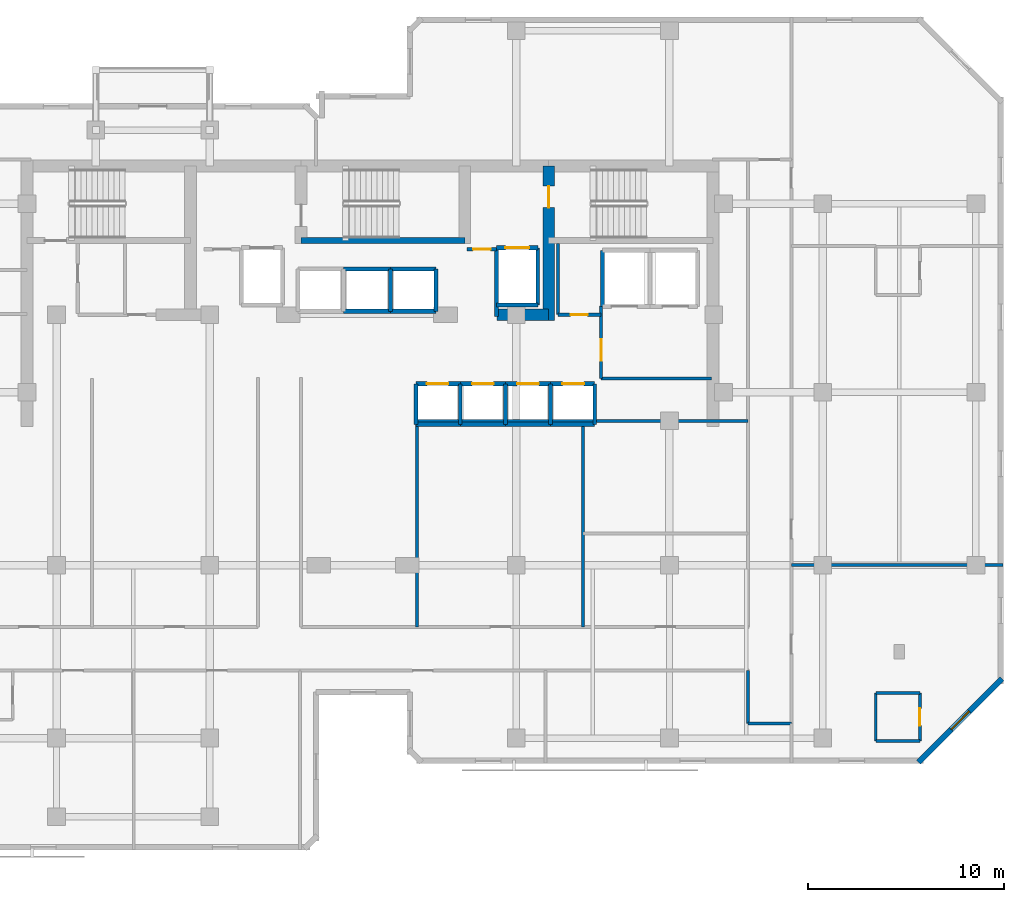
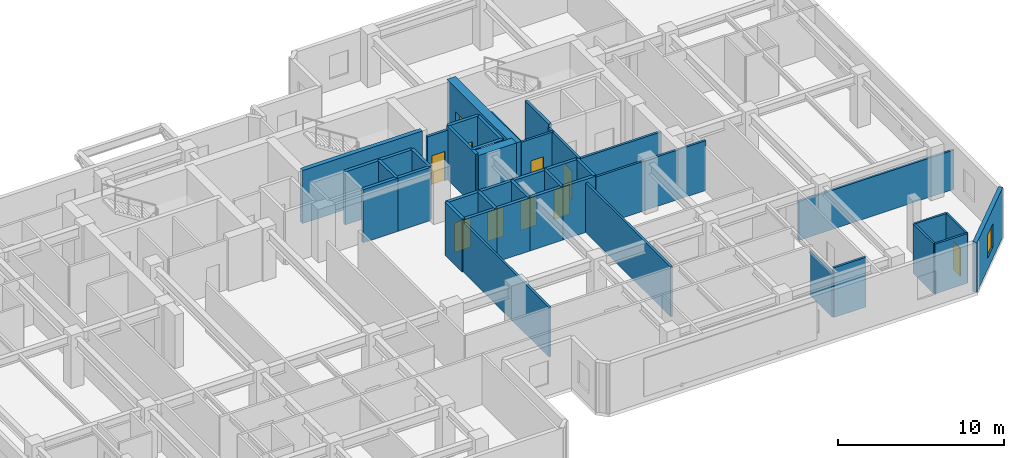
# One storey, part 6 of 10: 43 walls, 10 doors, 1 window, 11 openings.
"""IFC4 building model written with IfcOpenShell, lengths in metres."""

from ifc_helpers import new_model, si_unit, direction, frame, frame_2d, origin, place, context, subcontext, project, spatial, rectangle, extrude, material, layer, layer_set, type_object, element, fill, save


model = new_model("IFC4")

# Units and contexts
model_context = context("Model", 3, precision=1e-05, world=origin(), true_north=direction((0.0, 1.0)))
body_context = subcontext(model_context, "Body", "Model", "MODEL_VIEW")
ifc_project = project(units=[si_unit("LENGTHUNIT", "METRE"), si_unit("AREAUNIT", "SQUARE_METRE"), si_unit("VOLUMEUNIT", "CUBIC_METRE"), si_unit("PLANEANGLEUNIT", "RADIAN"), si_unit("MASSUNIT", "GRAM", prefix="KILO")], contexts=[model_context])

# Site, building, storey
site_placement = place(None, origin())
site = spatial("IfcSite", under=ifc_project, at=site_placement, CompositionType="ELEMENT")
building_placement = place(site_placement, origin())
building = spatial("IfcBuilding", under=site, at=building_placement, Name="Kestravale Grand Hotel", CompositionType="ELEMENT")
storey_placement = place(building_placement, frame((0.0, 0.0, 212.39990234375)))
storey = spatial("IfcBuildingStorey", under=building, at=storey_placement, Name="L53", CompositionType="ELEMENT", Elevation=212.39990234375)

# Wall
ifc_material_1 = material(Name="Concrete f'c 50 MPa", Category="concrete")
ifc_layer_1 = layer(ifc_material_1, 0.60009765625)
ifc_layer_set_1 = layer_set([ifc_layer_1], Name="EW-CORE-600")
wall_type_1 = type_object("IfcWallType", Name="EW-CORE-600", PredefinedType="SHEAR", material=ifc_layer_set_1)
wall_1_placement = place(storey_placement, frame((45.81005859375, 32.75, 0.0), z_axis=(0.0, 0.0, 1.0), x_axis=(1.0, 0.0, 0.0)))
element("IfcWall", 1, at=wall_1_placement, inside=storey, type_object=wall_type_1, Name="L53 core shear wall S2", PredefinedType="SHEAR", context=body_context, shape_type="SweptSolid", body=[
    extrude(rectangle(XDim=2.639892578125, YDim=0.60009765625, at=frame_2d((1.31982421875, 0.0))), origin(), (0.0, 0.0, 1.0), 3.900146484375),
])

# Wall, opening, door
wall_2_placement = place(storey_placement, frame((48.449951171875, 32.449951171875, 0.0), z_axis=(0.0, 0.0, 1.0), x_axis=(0.0, 1.0, 0.0)))
wall_2 = element("IfcWall", 2, at=wall_2_placement, inside=storey, type_object=wall_type_1, Name="L53 core shear wall X4", PredefinedType="SHEAR", context=body_context, shape_type="SweptSolid", body=[
    extrude(rectangle(XDim=7.8701171875, YDim=0.60009765625, at=frame_2d((3.93505859375, 0.0))), origin(), (0.0, 0.0, 1.0), 3.900146484375),
])
opening_1_placement = place(wall_2_placement, frame((5.75, 0.0, 0.0)))
opening_1 = element("IfcOpeningElement", 3, at=opening_1_placement, cuts=wall_2, Name="Opening D-ST-1100", PredefinedType="OPENING", context=body_context, shape_type="SweptSolid", body=[
    extrude(rectangle(XDim=1.10009765625, YDim=2.14990234375, at=frame_2d((0.550048828125, 1.074951171875))), frame((0.0, 0.31005859375, 0.0), z_axis=(0.0, -1.0, 0.0), x_axis=(1.0, 0.0, 0.0)), (0.0, 0.0, 1.0), 0.6201171875),
])
ifc_material_2 = material(Name="Galvanised 90-minute fire-rated steel stair door", Category="steel")
door_type_1 = type_object("IfcDoorType", Name="D-ST-1100", OperationType="NOTDEFINED", PredefinedType="DOOR", material=ifc_material_2)
door_1_placement = place(opening_1_placement, origin())
door_1 = element("IfcDoor", 4, at=door_1_placement, inside=storey, type_object=door_type_1, Name="L53 Stair ST-3 FSAE fire door", OperationType="SINGLE_SWING_RIGHT", OverallHeight=2.14990234375, OverallWidth=1.10009765625, PredefinedType="DOOR", context=body_context, shape_type="SweptSolid", body=[
    extrude(rectangle(XDim=1.10009765625, YDim=2.14990234375, at=frame_2d((0.550048828125, 1.074951171875))), frame((0.0, 0.02490234375, 0.0), z_axis=(0.0, -1.0, 0.0), x_axis=(1.0, 0.0, 0.0)), (0.0, 0.0, 1.0), 0.050048828125),
])
fill(opening_1, door_1)

# Wall, opening, window
ifc_material_3 = material(Name="Precast concrete f'c 45 MPa", Category="concrete")
ifc_layer_2 = layer(ifc_material_3, 0.280029296875)
ifc_layer_set_2 = layer_set([ifc_layer_2], Name="EW-PREC-280")
wall_type_2 = type_object("IfcWallType", Name="EW-PREC-280", PredefinedType="SOLIDWALL", material=ifc_layer_set_2)
wall_3_placement = place(storey_placement, frame((67.272705078125, 9.970703125, 0.0), z_axis=(0.0, 0.0, 1.0), x_axis=(0.707106781187, 0.707106781187, 0.0)))
wall_3 = element("IfcWall", 5, at=wall_3_placement, inside=storey, type_object=wall_type_2, Name="L53 fluted precast facade wall 8", PredefinedType="SOLIDWALL", context=body_context, shape_type="SweptSolid", body=[
    extrude(rectangle(XDim=6.019775390625, YDim=0.280029296875, at=frame_2d((3.009765625, 0.0))), origin(), (0.0, 0.0, 1.0), 3.650146484375),
])
opening_2_placement = place(wall_3_placement, frame((2.35986328125, 0.0, 0.85009765625)))
opening_2 = element("IfcOpeningElement", 6, at=opening_2_placement, cuts=wall_3, Name="Opening W-GUEST-1300", PredefinedType="OPENING", context=body_context, shape_type="SweptSolid", body=[
    extrude(rectangle(XDim=1.300048828125, YDim=1.699951171875, at=frame_2d((0.64990234375, 0.85009765625))), frame((0.0, 0.14990234375, 0.0), z_axis=(0.0, -1.0, 0.0), x_axis=(1.0, 0.0, 0.0)), (0.0, 0.0, 1.0), 0.300048828125),
])
ifc_material_4 = material(Name="Insulated low-E double glazing in aluminium frame", Category="aluminium")
window_type = type_object("IfcWindowType", Name="W-GUEST-1300", PartitioningType="SINGLE_PANEL", PredefinedType="WINDOW", material=ifc_material_4)
window_placement = place(opening_2_placement, origin())
window = element("IfcWindow", 7, at=window_placement, inside=storey, type_object=window_type, Name="L53 exterior window 8.1", OverallHeight=1.699951171875, OverallWidth=1.300048828125, PartitioningType="SINGLE_PANEL", PredefinedType="WINDOW", context=body_context, shape_type="SweptSolid", body=[
    extrude(rectangle(XDim=1.300048828125, YDim=1.699951171875, at=frame_2d((0.64990234375, 0.85009765625))), frame((0.0, 0.030029296875, 0.0), z_axis=(0.0, -1.0, 0.0), x_axis=(1.0, 0.0, 0.0)), (0.0, 0.0, 1.0), 0.06005859375),
])
fill(opening_2, window)

# Wall
ifc_material_5 = material(Name="Concrete f'c 45 MPa", Category="concrete")
ifc_layer_3 = layer(ifc_material_5, 0.300048828125)
ifc_layer_set_3 = layer_set([ifc_layer_3], Name="EW-STAIR-300")
wall_type_3 = type_object("IfcWallType", Name="EW-STAIR-300", PredefinedType="SHEAR", material=ifc_layer_set_3)
wall_4_placement = place(storey_placement, frame((35.85009765625, 36.52001953125, 0.0), z_axis=(0.0, 0.0, 1.0), x_axis=(1.0, 0.0, 0.0)))
element("IfcWall", 8, at=wall_4_placement, inside=storey, type_object=wall_type_3, Name="L53 stair enclosure shear wall SST2", PredefinedType="SHEAR", context=body_context, shape_type="SweptSolid", body=[
    extrude(rectangle(XDim=8.329833984375, YDim=0.300048828125, at=frame_2d((4.1650390625, 0.0))), origin(), (0.0, 0.0, 1.0), 3.900146484375),
])

# Wall, opening, door
ifc_material_6 = material(Name="Acoustic fire-rated gypsum board partition", Category="other")
ifc_layer_4 = layer(ifc_material_6, 0.159912109375)
ifc_layer_set_4 = layer_set([ifc_layer_4], Name="IW-CORR-160")
wall_type_4 = type_object("IfcWallType", Name="IW-CORR-160", PredefinedType="PARTITIONING", material=ifc_layer_set_4)
wall_5_placement = place(storey_placement, frame((51.1201171875, 29.5, 0.0), z_axis=(0.0, 0.0, 1.0), x_axis=(0.0, 1.0, 0.0)))
wall_5 = element("IfcWall", 9, at=wall_5_placement, inside=storey, type_object=wall_type_4, Name="W-L53-SVCLOB-W", PredefinedType="PARTITIONING", context=body_context, shape_type="SweptSolid", body=[
    extrude(rectangle(XDim=3.699951171875, YDim=0.159912109375, at=frame_2d((1.85009765625, 0.0))), origin(), (0.0, 0.0, 1.0), 3.650146484375),
])
opening_3_placement = place(wall_5_placement, frame((0.89990234375, 0.0, 0.0)))
opening_3 = element("IfcOpeningElement", 10, at=opening_3_placement, cuts=wall_5, Name="Opening D-CORR-1100", PredefinedType="OPENING", context=body_context, shape_type="SweptSolid", body=[
    extrude(rectangle(XDim=1.10009765625, YDim=2.14990234375, at=frame_2d((0.550048828125, 1.074951171875))), frame((0.0, 0.08984375, 0.0), z_axis=(0.0, -1.0, 0.0), x_axis=(1.0, 0.0, 0.0)), (0.0, 0.0, 1.0), 0.179931640625),
])
ifc_material_7 = material(Name="Single-leaf service vestibule fire door", Category="steel")
door_type_2 = type_object("IfcDoorType", Name="D-CORR-1100", OperationType="NOTDEFINED", PredefinedType="DOOR", material=ifc_material_7)
door_2_placement = place(opening_3_placement, origin())
door_2 = element("IfcDoor", 11, at=door_2_placement, inside=storey, type_object=door_type_2, Name="L53 service lift lobby door", OperationType="SINGLE_SWING_LEFT", OverallHeight=2.14990234375, OverallWidth=1.10009765625, PredefinedType="DOOR", context=body_context, shape_type="SweptSolid", body=[
    extrude(rectangle(XDim=1.10009765625, YDim=2.14990234375, at=frame_2d((0.550048828125, 1.074951171875))), frame((0.0, 0.02490234375, 0.0), z_axis=(0.0, -1.0, 0.0), x_axis=(1.0, 0.0, 0.0)), (0.0, 0.0, 1.0), 0.050048828125),
])
fill(opening_3, door_2)

# Wall
wall_6_placement = place(storey_placement, frame((51.1201171875, 29.5, 0.0), z_axis=(0.0, 0.0, 1.0), x_axis=(1.0, 0.0, 0.0)))
element("IfcWall", 12, at=wall_6_placement, inside=storey, type_object=wall_type_4, Name="L53 service lift lobby wall", PredefinedType="PARTITIONING", context=body_context, shape_type="SweptSolid", body=[
    extrude(rectangle(XDim=5.6298828125, YDim=0.159912109375, at=frame_2d((2.81494140625, 0.0))), origin(), (0.0, 0.0, 1.0), 3.650146484375),
])

# Wall, opening, door
wall_7_placement = place(storey_placement, frame((48.919921875, 32.75, 0.0), z_axis=(0.0, 0.0, 1.0), x_axis=(1.0, 0.0, 0.0)))
wall_7 = element("IfcWall", 13, at=wall_7_placement, inside=storey, type_object=wall_type_4, Name="W-L53-CES", PredefinedType="PARTITIONING", context=body_context, shape_type="SweptSolid", body=[
    extrude(rectangle(XDim=2.2001953125, YDim=0.159912109375, at=frame_2d((1.10009765625, 0.0))), origin(), (0.0, 0.0, 1.0), 3.650146484375),
])
opening_4_placement = place(wall_7_placement, frame((0.64990234375, 0.0, 0.0)))
opening_4 = element("IfcOpeningElement", 14, at=opening_4_placement, cuts=wall_7, Name="Opening D-SH-860", PredefinedType="OPENING", context=body_context, shape_type="SweptSolid", body=[
    extrude(rectangle(XDim=0.860107421875, YDim=2.050048828125, at=frame_2d((0.43017578125, 1.02490234375))), frame((0.0, 0.08984375, 0.0), z_axis=(0.0, -1.0, 0.0), x_axis=(1.0, 0.0, 0.0)), (0.0, 0.0, 1.0), 0.179931640625),
])
ifc_material_8 = material(Name="Galvanised 90-minute riser fire door", Category="steel")
door_type_3 = type_object("IfcDoorType", Name="D-SH-860", OperationType="NOTDEFINED", PredefinedType="DOOR", material=ifc_material_8)
door_3_placement = place(opening_4_placement, origin())
door_3 = element("IfcDoor", 15, at=door_3_placement, inside=storey, type_object=door_type_3, Name="L53 CSTO1 door", OperationType="SINGLE_SWING_RIGHT", OverallHeight=2.050048828125, OverallWidth=0.860107421875, PredefinedType="DOOR", context=body_context, shape_type="SweptSolid", body=[
    extrude(rectangle(XDim=0.860107421875, YDim=2.050048828125, at=frame_2d((0.43017578125, 1.02490234375))), frame((0.0, 0.02490234375, 0.0), z_axis=(0.0, -1.0, 0.0), x_axis=(1.0, 0.0, 0.0)), (0.0, 0.0, 1.0), 0.050048828125),
])
fill(opening_4, door_3)

# Wall
wall_8_placement = place(storey_placement, frame((58.590087890625, 11.949951171875, 0.0), z_axis=(0.0, 0.0, 1.0), x_axis=(0.0, 1.0, 0.0)))
element("IfcWall", 16, at=wall_8_placement, inside=storey, type_object=wall_type_4, Name="W-L53-SE-W", PredefinedType="PARTITIONING", context=body_context, shape_type="SweptSolid", body=[
    extrude(rectangle(XDim=2.68994140625, YDim=0.159912109375, at=frame_2d((1.344970703125, 0.0))), origin(), (0.0, 0.0, 1.0), 3.24609375),
])

# Wall, opening, door
ifc_material_9 = material(Name="Fire-rated gypsum board on steel studs with mineral wool", Category="steel")
ifc_layer_5 = layer(ifc_material_9, 0.179931640625)
ifc_layer_set_5 = layer_set([ifc_layer_5], Name="IW-FSAE-180")
wall_type_5 = type_object("IfcWallType", Name="IW-FSAE-180", PredefinedType="PARTITIONING", material=ifc_layer_set_5)
wall_9_placement = place(storey_placement, frame((44.300048828125, 36.080078125, 0.0), z_axis=(0.0, 0.0, 1.0), x_axis=(1.0, 0.0, 0.0)))
wall_9 = element("IfcWall", 17, at=wall_9_placement, inside=storey, type_object=wall_type_5, Name="L53 FSAE Lobby 2 smoke barrier", PredefinedType="PARTITIONING", context=body_context, shape_type="SweptSolid", body=[
    extrude(rectangle(XDim=1.5, YDim=0.179931640625, at=frame_2d((0.75, 0.0))), origin(), (0.0, 0.0, 1.0), 3.650146484375),
])
opening_5_placement = place(wall_9_placement, frame((0.300048828125, 0.0, 0.0)))
opening_5 = element("IfcOpeningElement", 18, at=opening_5_placement, cuts=wall_9, Name="Opening D-FSAE-1000", PredefinedType="OPENING", context=body_context, shape_type="SweptSolid", body=[
    extrude(rectangle(XDim=0.89990234375, YDim=2.14990234375, at=frame_2d((0.449951171875, 1.074951171875))), frame((0.0, 0.099853515625, 0.0), z_axis=(0.0, -1.0, 0.0), x_axis=(1.0, 0.0, 0.0)), (0.0, 0.0, 1.0), 0.199951171875),
])
ifc_material_10 = material(Name="Smoke-gasketed FSAE lobby fire door", Category="steel")
door_type_4 = type_object("IfcDoorType", Name="D-FSAE-1000", OperationType="NOTDEFINED", PredefinedType="DOOR", material=ifc_material_10)
door_4_placement = place(opening_5_placement, origin())
door_4 = element("IfcDoor", 19, at=door_4_placement, inside=storey, type_object=door_type_4, Name="L53 FSAE Lobby 2 fire door", OperationType="SINGLE_SWING_LEFT", OverallHeight=2.14990234375, OverallWidth=0.89990234375, PredefinedType="DOOR", context=body_context, shape_type="SweptSolid", body=[
    extrude(rectangle(XDim=0.89990234375, YDim=2.14990234375, at=frame_2d((0.449951171875, 1.074951171875))), frame((0.0, 0.02490234375, 0.0), z_axis=(0.0, -1.0, 0.0), x_axis=(1.0, 0.0, 0.0)), (0.0, 0.0, 1.0), 0.050048828125),
])
fill(opening_5, door_4)

# Wall
ifc_material_11 = material(Name="Moisture-resistant tile-backer plumbing chase wall", Category="other")
ifc_layer_6 = layer(ifc_material_11, 0.139892578125)
ifc_layer_set_6 = layer_set([ifc_layer_6], Name="IW-PLB-140")
wall_type_6 = type_object("IfcWallType", Name="IW-PLB-140", PredefinedType="PLUMBINGWALL", material=ifc_layer_set_6)
wall_10_placement = place(storey_placement, frame((65.10009765625, 11.050048828125, 0.0), z_axis=(0.0, 0.0, 1.0), x_axis=(0.0, 1.0, 0.0)))
element("IfcWall", 20, at=wall_10_placement, inside=storey, type_object=wall_type_6, Name="W-L53-U05-BW", PredefinedType="PLUMBINGWALL", context=body_context, shape_type="SweptSolid", body=[
    extrude(rectangle(XDim=2.449951171875, YDim=0.139892578125, at=frame_2d((1.22509765625, 0.0))), origin(), (0.0, 0.0, 1.0), 3.650146484375),
])

# Wall, opening, door
wall_11_placement = place(storey_placement, frame((67.35009765625, 11.050048828125, 0.0), z_axis=(0.0, 0.0, 1.0), x_axis=(0.0, 1.0, 0.0)))
wall_11 = element("IfcWall", 21, at=wall_11_placement, inside=storey, type_object=wall_type_6, Name="W-L53-U05-BE", PredefinedType="PLUMBINGWALL", context=body_context, shape_type="SweptSolid", body=[
    extrude(rectangle(XDim=2.449951171875, YDim=0.139892578125, at=frame_2d((1.22509765625, 0.0))), origin(), (0.0, 0.0, 1.0), 3.650146484375),
])
opening_6_placement = place(wall_11_placement, frame((0.784912109375, 0.0, 0.0)))
opening_6 = element("IfcOpeningElement", 22, at=opening_6_placement, cuts=wall_11, Name="Opening D-BATH-880", PredefinedType="OPENING", context=body_context, shape_type="SweptSolid", body=[
    extrude(rectangle(XDim=0.8798828125, YDim=2.050048828125, at=frame_2d((0.43994140625, 1.02490234375))), frame((0.0, 0.079833984375, 0.0), z_axis=(0.0, -1.0, 0.0), x_axis=(1.0, 0.0, 0.0)), (0.0, 0.0, 1.0), 0.159912109375),
])
ifc_material_12 = material(Name="Moisture-sealed walnut en-suite bathroom door", Category="wood")
door_type_5 = type_object("IfcDoorType", Name="D-BATH-880", OperationType="NOTDEFINED", PredefinedType="DOOR", material=ifc_material_12)
door_5_placement = place(opening_6_placement, origin())
door_5 = element("IfcDoor", 23, at=door_5_placement, inside=storey, type_object=door_type_5, Name="D-L53-U05-BATH", OperationType="SINGLE_SWING_RIGHT", OverallHeight=2.050048828125, OverallWidth=0.8798828125, PredefinedType="DOOR", context=body_context, shape_type="SweptSolid", body=[
    extrude(rectangle(XDim=0.8798828125, YDim=2.050048828125, at=frame_2d((0.43994140625, 1.02490234375))), frame((0.0, 0.02490234375, 0.0), z_axis=(0.0, -1.0, 0.0), x_axis=(1.0, 0.0, 0.0)), (0.0, 0.0, 1.0), 0.050048828125),
])
fill(opening_6, door_5)

# Walls
for number, where, z_axis, x_axis, name in (
    (24, (65.10009765625, 11.050048828125, 0.0), (0.0, 0.0, 1.0), (1.0, 0.0, 0.0), "W-L53-U05-BS"),
    (25, (65.10009765625, 13.5, 0.0), (0.0, 0.0, 1.0), (1.0, 0.0, 0.0), "W-L53-U05-BN"),
):
    element("IfcWall", number, at=place(storey_placement, frame(where, z_axis=z_axis, x_axis=x_axis)), inside=storey, type_object=wall_type_6, Name=name, PredefinedType="PLUMBINGWALL", context=body_context, shape_type="SweptSolid", body=[
        extrude(rectangle(XDim=2.25, YDim=0.139892578125, at=frame_2d((1.125, 0.0))), origin(), (0.0, 0.0, 1.0), 3.650146484375),
    ])
ifc_material_13 = material(Name="Concrete f'c 45 MPa", Category="concrete")
ifc_layer_7 = layer(ifc_material_13, 0.199951171875)
ifc_layer_set_7 = layer_set([ifc_layer_7], Name="IW-SHAFT-200")
wall_type_7 = type_object("IfcWallType", Name="IW-SHAFT-200", PredefinedType="SHEAR", material=ifc_layer_set_7)
for number, where, z_axis, x_axis, name in (
    (26, (41.705078125, 27.169921875, 0.0), (0.0, 0.0, 1.0), (0.0, 1.0, 0.0), "L53 PL-M1 west shaft wall"),
    (27, (43.949951171875, 27.169921875, 0.0), (0.0, 0.0, 1.0), (0.0, 1.0, 0.0), "L53 PL-M2 west shaft wall"),
    (28, (46.25, 27.169921875, 0.0), (0.0, 0.0, 1.0), (0.0, 1.0, 0.0), "L53 PL-M3 west shaft wall"),
    (29, (48.550048828125, 27.169921875, 0.0), (0.0, 0.0, 1.0), (0.0, 1.0, 0.0), "L53 PL-M4 west shaft wall"),
    (30, (50.794921875, 27.169921875, 0.0), (0.0, 0.0, 1.0), (0.0, 1.0, 0.0), "L53 PL-M4 east shaft wall"),
):
    element("IfcWall", number, at=place(storey_placement, frame(where, z_axis=z_axis, x_axis=x_axis)), inside=storey, type_object=wall_type_7, Name=name, PredefinedType="SHEAR", context=body_context, shape_type="SweptSolid", body=[
        extrude(rectangle(XDim=2.06005859375, YDim=0.199951171875, at=frame_2d((1.030029296875, 0.0))), origin(), (0.0, 0.0, 1.0), 3.900146484375),
    ])
for number, where, z_axis, x_axis, name in (
    (31, (40.39990234375, 32.919921875, 0.0), (0.0, 0.0, 1.0), (0.0, 1.0, 0.0), "L53 PL-X3 west shaft wall"),
    (32, (42.719970703125, 32.919921875, 0.0), (0.0, 0.0, 1.0), (0.0, 1.0, 0.0), "L53 PL-X3 east shaft wall"),
):
    element("IfcWall", number, at=place(storey_placement, frame(where, z_axis=z_axis, x_axis=x_axis)), inside=storey, type_object=wall_type_7, Name=name, PredefinedType="SHEAR", context=body_context, shape_type="SweptSolid", body=[
        extrude(rectangle(XDim=2.16015625, YDim=0.199951171875, at=frame_2d((1.080078125, 0.0))), origin(), (0.0, 0.0, 1.0), 3.900146484375),
    ])
wall_12_placement = place(storey_placement, frame((51.179931640625, 33.169921875, 0.0), z_axis=(0.0, 0.0, 1.0), x_axis=(0.0, 1.0, 0.0)))
element("IfcWall", 33, at=wall_12_placement, inside=storey, type_object=wall_type_7, Name="L53 SL-1 west shaft wall", PredefinedType="SHEAR", context=body_context, shape_type="SweptSolid", body=[
    extrude(rectangle(XDim=2.860107421875, YDim=0.199951171875, at=frame_2d((1.43017578125, 0.0))), origin(), (0.0, 0.0, 1.0), 3.900146484375),
])
wall_13_placement = place(storey_placement, frame((45.804931640625, 32.64990234375, 0.0), z_axis=(0.0, 0.0, 1.0), x_axis=(0.0, 1.0, 0.0)))
element("IfcWall", 34, at=wall_13_placement, inside=storey, type_object=wall_type_7, Name="L53 FL-2 west shaft wall", PredefinedType="SHEAR", context=body_context, shape_type="SweptSolid", body=[
    extrude(rectangle(XDim=3.505126953125, YDim=0.199951171875, at=frame_2d((1.75244140625, 0.0))), origin(), (0.0, 0.0, 1.0), 3.900146484375),
])
wall_14_placement = place(storey_placement, frame((47.89501953125, 33.2451171875, 0.0), z_axis=(0.0, 0.0, 1.0), x_axis=(0.0, 1.0, 0.0)))
element("IfcWall", 35, at=wall_14_placement, inside=storey, type_object=wall_type_7, Name="L53 FL-2 east shaft wall", PredefinedType="SHEAR", context=body_context, shape_type="SweptSolid", body=[
    extrude(rectangle(XDim=2.909912109375, YDim=0.199951171875, at=frame_2d((1.455078125, 0.0))), origin(), (0.0, 0.0, 1.0), 3.900146484375),
])

# Wall, opening, door
ifc_material_14 = material(Name="Concrete f'c 45 MPa", Category="concrete")
ifc_layer_8 = layer(ifc_material_14, 0.219970703125)
ifc_layer_set_8 = layer_set([ifc_layer_8], Name="IW-SHAFT-220")
wall_type_8 = type_object("IfcWallType", Name="IW-SHAFT-220", PredefinedType="SHEAR", material=ifc_layer_set_8)
wall_15_placement = place(storey_placement, frame((41.705078125, 29.22998046875, 0.0), z_axis=(0.0, 0.0, 1.0), x_axis=(1.0, 0.0, 0.0)))
wall_15 = element("IfcWall", 36, at=wall_15_placement, inside=storey, type_object=wall_type_8, Name="L53 PL-M1 north shaft wall", PredefinedType="SHEAR", context=body_context, shape_type="SweptSolid", body=[
    extrude(rectangle(XDim=2.244873046875, YDim=0.219970703125, at=frame_2d((1.12255859375, 0.0))), origin(), (0.0, 0.0, 1.0), 3.900146484375),
])
opening_7_placement = place(wall_15_placement, frame((0.544921875, 0.0, 0.0)))
opening_7 = element("IfcOpeningElement", 37, at=opening_7_placement, cuts=wall_15, Name="Opening LD-PAX-1100", PredefinedType="OPENING", context=body_context, shape_type="SweptSolid", body=[
    extrude(rectangle(XDim=1.10009765625, YDim=2.14990234375, at=frame_2d((0.550048828125, 1.074951171875))), frame((0.0, 0.119873046875, 0.0), z_axis=(0.0, -1.0, 0.0), x_axis=(1.0, 0.0, 0.0)), (0.0, 0.0, 1.0), 0.239990234375),
])
ifc_material_15 = material(Name="Champagne-bronze center-opening sliding elevator landing door", Category="steel")
door_type_6 = type_object("IfcDoorType", Name="LD-PAX-1100", OperationType="NOTDEFINED", PredefinedType="DOOR", material=ifc_material_15)
door_6_placement = place(opening_7_placement, origin())
door_6 = element("IfcDoor", 38, at=door_6_placement, inside=storey, type_object=door_type_6, Name="L53 PL-M1 elevator landing sliding door", OperationType="DOUBLE_DOOR_SLIDING", OverallHeight=2.14990234375, OverallWidth=1.10009765625, PredefinedType="DOOR", context=body_context, shape_type="SweptSolid", body=[
    extrude(rectangle(XDim=1.10009765625, YDim=2.14990234375, at=frame_2d((0.550048828125, 1.074951171875))), frame((0.0, 0.02490234375, 0.0), z_axis=(0.0, -1.0, 0.0), x_axis=(1.0, 0.0, 0.0)), (0.0, 0.0, 1.0), 0.050048828125),
])
fill(opening_7, door_6)

# Wall
wall_16_placement = place(storey_placement, frame((41.705078125, 27.169921875, 0.0), z_axis=(0.0, 0.0, 1.0), x_axis=(1.0, 0.0, 0.0)))
element("IfcWall", 39, at=wall_16_placement, inside=storey, type_object=wall_type_8, Name="L53 PL-M1 south shaft wall", PredefinedType="SHEAR", context=body_context, shape_type="SweptSolid", body=[
    extrude(rectangle(XDim=2.244873046875, YDim=0.219970703125, at=frame_2d((1.12255859375, 0.0))), origin(), (0.0, 0.0, 1.0), 3.900146484375),
])

# Wall, opening, door
wall_17_placement = place(storey_placement, frame((43.949951171875, 29.22998046875, 0.0), z_axis=(0.0, 0.0, 1.0), x_axis=(1.0, 0.0, 0.0)))
wall_17 = element("IfcWall", 40, at=wall_17_placement, inside=storey, type_object=wall_type_8, Name="L53 PL-M2 north shaft wall", PredefinedType="SHEAR", context=body_context, shape_type="SweptSolid", body=[
    extrude(rectangle(XDim=2.300048828125, YDim=0.219970703125, at=frame_2d((1.14990234375, 0.0))), origin(), (0.0, 0.0, 1.0), 3.900146484375),
])
opening_8_placement = place(wall_17_placement, frame((0.60009765625, 0.0, 0.0)))
opening_8 = element("IfcOpeningElement", 41, at=opening_8_placement, cuts=wall_17, Name="Opening LD-PAX-1100", PredefinedType="OPENING", context=body_context, shape_type="SweptSolid", body=[
    extrude(rectangle(XDim=1.10009765625, YDim=2.14990234375, at=frame_2d((0.550048828125, 1.074951171875))), frame((0.0, 0.119873046875, 0.0), z_axis=(0.0, -1.0, 0.0), x_axis=(1.0, 0.0, 0.0)), (0.0, 0.0, 1.0), 0.239990234375),
])
door_7_placement = place(opening_8_placement, origin())
door_7 = element("IfcDoor", 42, at=door_7_placement, inside=storey, type_object=door_type_6, Name="L53 PL-M2 elevator landing sliding door", OperationType="DOUBLE_DOOR_SLIDING", OverallHeight=2.14990234375, OverallWidth=1.10009765625, PredefinedType="DOOR", context=body_context, shape_type="SweptSolid", body=[
    extrude(rectangle(XDim=1.10009765625, YDim=2.14990234375, at=frame_2d((0.550048828125, 1.074951171875))), frame((0.0, 0.02490234375, 0.0), z_axis=(0.0, -1.0, 0.0), x_axis=(1.0, 0.0, 0.0)), (0.0, 0.0, 1.0), 0.050048828125),
])
fill(opening_8, door_7)

# Wall
wall_18_placement = place(storey_placement, frame((43.949951171875, 27.169921875, 0.0), z_axis=(0.0, 0.0, 1.0), x_axis=(1.0, 0.0, 0.0)))
element("IfcWall", 43, at=wall_18_placement, inside=storey, type_object=wall_type_8, Name="L53 PL-M2 south shaft wall", PredefinedType="SHEAR", context=body_context, shape_type="SweptSolid", body=[
    extrude(rectangle(XDim=2.300048828125, YDim=0.219970703125, at=frame_2d((1.14990234375, 0.0))), origin(), (0.0, 0.0, 1.0), 3.900146484375),
])

# Wall, opening, door
wall_19_placement = place(storey_placement, frame((46.25, 29.22998046875, 0.0), z_axis=(0.0, 0.0, 1.0), x_axis=(1.0, 0.0, 0.0)))
wall_19 = element("IfcWall", 44, at=wall_19_placement, inside=storey, type_object=wall_type_8, Name="L53 PL-M3 north shaft wall", PredefinedType="SHEAR", context=body_context, shape_type="SweptSolid", body=[
    extrude(rectangle(XDim=2.300048828125, YDim=0.219970703125, at=frame_2d((1.14990234375, 0.0))), origin(), (0.0, 0.0, 1.0), 3.900146484375),
])
opening_9_placement = place(wall_19_placement, frame((0.60009765625, 0.0, 0.0)))
opening_9 = element("IfcOpeningElement", 45, at=opening_9_placement, cuts=wall_19, Name="Opening LD-PAX-1100", PredefinedType="OPENING", context=body_context, shape_type="SweptSolid", body=[
    extrude(rectangle(XDim=1.10009765625, YDim=2.14990234375, at=frame_2d((0.550048828125, 1.074951171875))), frame((0.0, 0.119873046875, 0.0), z_axis=(0.0, -1.0, 0.0), x_axis=(1.0, 0.0, 0.0)), (0.0, 0.0, 1.0), 0.239990234375),
])
door_8_placement = place(opening_9_placement, origin())
door_8 = element("IfcDoor", 46, at=door_8_placement, inside=storey, type_object=door_type_6, Name="L53 PL-M3 elevator landing sliding door", OperationType="DOUBLE_DOOR_SLIDING", OverallHeight=2.14990234375, OverallWidth=1.10009765625, PredefinedType="DOOR", context=body_context, shape_type="SweptSolid", body=[
    extrude(rectangle(XDim=1.10009765625, YDim=2.14990234375, at=frame_2d((0.550048828125, 1.074951171875))), frame((0.0, 0.02490234375, 0.0), z_axis=(0.0, -1.0, 0.0), x_axis=(1.0, 0.0, 0.0)), (0.0, 0.0, 1.0), 0.050048828125),
])
fill(opening_9, door_8)

# Wall
wall_20_placement = place(storey_placement, frame((46.25, 27.169921875, 0.0), z_axis=(0.0, 0.0, 1.0), x_axis=(1.0, 0.0, 0.0)))
element("IfcWall", 47, at=wall_20_placement, inside=storey, type_object=wall_type_8, Name="L53 PL-M3 south shaft wall", PredefinedType="SHEAR", context=body_context, shape_type="SweptSolid", body=[
    extrude(rectangle(XDim=2.300048828125, YDim=0.219970703125, at=frame_2d((1.14990234375, 0.0))), origin(), (0.0, 0.0, 1.0), 3.900146484375),
])

# Wall, opening, door
wall_21_placement = place(storey_placement, frame((48.550048828125, 29.22998046875, 0.0), z_axis=(0.0, 0.0, 1.0), x_axis=(1.0, 0.0, 0.0)))
wall_21 = element("IfcWall", 48, at=wall_21_placement, inside=storey, type_object=wall_type_8, Name="L53 PL-M4 north shaft wall", PredefinedType="SHEAR", context=body_context, shape_type="SweptSolid", body=[
    extrude(rectangle(XDim=2.244873046875, YDim=0.219970703125, at=frame_2d((1.12255859375, 0.0))), origin(), (0.0, 0.0, 1.0), 3.900146484375),
])
opening_10_placement = place(wall_21_placement, frame((0.60009765625, 0.0, 0.0)))
opening_10 = element("IfcOpeningElement", 49, at=opening_10_placement, cuts=wall_21, Name="Opening LD-PAX-1100", PredefinedType="OPENING", context=body_context, shape_type="SweptSolid", body=[
    extrude(rectangle(XDim=1.10009765625, YDim=2.14990234375, at=frame_2d((0.550048828125, 1.074951171875))), frame((0.0, 0.119873046875, 0.0), z_axis=(0.0, -1.0, 0.0), x_axis=(1.0, 0.0, 0.0)), (0.0, 0.0, 1.0), 0.239990234375),
])
door_9_placement = place(opening_10_placement, origin())
door_9 = element("IfcDoor", 50, at=door_9_placement, inside=storey, type_object=door_type_6, Name="L53 PL-M4 elevator landing sliding door", OperationType="DOUBLE_DOOR_SLIDING", OverallHeight=2.14990234375, OverallWidth=1.10009765625, PredefinedType="DOOR", context=body_context, shape_type="SweptSolid", body=[
    extrude(rectangle(XDim=1.10009765625, YDim=2.14990234375, at=frame_2d((0.550048828125, 1.074951171875))), frame((0.0, 0.02490234375, 0.0), z_axis=(0.0, -1.0, 0.0), x_axis=(1.0, 0.0, 0.0)), (0.0, 0.0, 1.0), 0.050048828125),
])
fill(opening_10, door_9)

# Walls
wall_22_placement = place(storey_placement, frame((48.550048828125, 27.169921875, 0.0), z_axis=(0.0, 0.0, 1.0), x_axis=(1.0, 0.0, 0.0)))
element("IfcWall", 51, at=wall_22_placement, inside=storey, type_object=wall_type_8, Name="L53 PL-M4 south shaft wall", PredefinedType="SHEAR", context=body_context, shape_type="SweptSolid", body=[
    extrude(rectangle(XDim=2.244873046875, YDim=0.219970703125, at=frame_2d((1.12255859375, 0.0))), origin(), (0.0, 0.0, 1.0), 3.900146484375),
])
for number, where, z_axis, x_axis, name in (
    (52, (38.0, 35.080078125, 0.0), (0.0, 0.0, 1.0), (1.0, 0.0, 0.0), "L53 PL-X2 north shaft wall"),
    (53, (38.0, 32.919921875, 0.0), (0.0, 0.0, 1.0), (1.0, 0.0, 0.0), "L53 PL-X2 south shaft wall"),
):
    element("IfcWall", number, at=place(storey_placement, frame(where, z_axis=z_axis, x_axis=x_axis)), inside=storey, type_object=wall_type_8, Name=name, PredefinedType="SHEAR", context=body_context, shape_type="SweptSolid", body=[
        extrude(rectangle(XDim=2.39990234375, YDim=0.219970703125, at=frame_2d((1.199951171875, 0.0))), origin(), (0.0, 0.0, 1.0), 3.900146484375),
    ])
for number, where, z_axis, x_axis, name in (
    (54, (40.39990234375, 35.080078125, 0.0), (0.0, 0.0, 1.0), (1.0, 0.0, 0.0), "L53 PL-X3 north shaft wall"),
    (55, (40.39990234375, 32.919921875, 0.0), (0.0, 0.0, 1.0), (1.0, 0.0, 0.0), "L53 PL-X3 south shaft wall"),
):
    element("IfcWall", number, at=place(storey_placement, frame(where, z_axis=z_axis, x_axis=x_axis)), inside=storey, type_object=wall_type_8, Name=name, PredefinedType="SHEAR", context=body_context, shape_type="SweptSolid", body=[
        extrude(rectangle(XDim=2.320068359375, YDim=0.219970703125, at=frame_2d((1.16015625, 0.0))), origin(), (0.0, 0.0, 1.0), 3.900146484375),
    ])

# Wall, opening, door
wall_23_placement = place(storey_placement, frame((45.804931640625, 36.155029296875, 0.0), z_axis=(0.0, 0.0, 1.0), x_axis=(1.0, 0.0, 0.0)))
wall_23 = element("IfcWall", 56, at=wall_23_placement, inside=storey, type_object=wall_type_8, Name="L53 FL-2 north shaft wall", PredefinedType="SHEAR", context=body_context, shape_type="SweptSolid", body=[
    extrude(rectangle(XDim=2.090087890625, YDim=0.219970703125, at=frame_2d((1.044921875, 0.0))), origin(), (0.0, 0.0, 1.0), 3.900146484375),
])
opening_11_placement = place(wall_23_placement, frame((0.445068359375, 0.0, 0.0)))
opening_11 = element("IfcOpeningElement", 57, at=opening_11_placement, cuts=wall_23, Name="Opening LD-FSAE-1200", PredefinedType="OPENING", context=body_context, shape_type="SweptSolid", body=[
    extrude(rectangle(XDim=1.199951171875, YDim=2.14990234375, at=frame_2d((0.60009765625, 1.074951171875))), frame((0.0, 0.119873046875, 0.0), z_axis=(0.0, -1.0, 0.0), x_axis=(1.0, 0.0, 0.0)), (0.0, 0.0, 1.0), 0.239990234375),
])
ifc_material_16 = material(Name="Stainless fire-service sliding elevator landing door", Category="steel")
door_type_7 = type_object("IfcDoorType", Name="LD-FSAE-1200", OperationType="NOTDEFINED", PredefinedType="DOOR", material=ifc_material_16)
door_10_placement = place(opening_11_placement, origin())
door_10 = element("IfcDoor", 58, at=door_10_placement, inside=storey, type_object=door_type_7, Name="L53 FL-2 elevator landing sliding door", OperationType="DOUBLE_DOOR_SLIDING", OverallHeight=2.14990234375, OverallWidth=1.199951171875, PredefinedType="DOOR", context=body_context, shape_type="SweptSolid", body=[
    extrude(rectangle(XDim=1.199951171875, YDim=2.14990234375, at=frame_2d((0.60009765625, 1.074951171875))), frame((0.0, 0.02490234375, 0.0), z_axis=(0.0, -1.0, 0.0), x_axis=(1.0, 0.0, 0.0)), (0.0, 0.0, 1.0), 0.050048828125),
])
fill(opening_11, door_10)

# Walls
wall_24_placement = place(storey_placement, frame((45.804931640625, 33.2451171875, 0.0), z_axis=(0.0, 0.0, 1.0), x_axis=(1.0, 0.0, 0.0)))
element("IfcWall", 59, at=wall_24_placement, inside=storey, type_object=wall_type_8, Name="L53 FL-2 south shaft wall", PredefinedType="SHEAR", context=body_context, shape_type="SweptSolid", body=[
    extrude(rectangle(XDim=2.090087890625, YDim=0.219970703125, at=frame_2d((1.044921875, 0.0))), origin(), (0.0, 0.0, 1.0), 3.900146484375),
])
ifc_material_17 = material(Name="Double-stud STC 52 acoustic demising partition", Category="other")
ifc_layer_9 = layer(ifc_material_17, 0.14990234375)
ifc_layer_set_9 = layer_set([ifc_layer_9], Name="IW-UNIT-150")
wall_type_9 = type_object("IfcWallType", Name="IW-UNIT-150", PredefinedType="PARTITIONING", material=ifc_layer_set_9)
wall_25_placement = place(storey_placement, frame((48.919921875, 32.75, 0.0), z_axis=(0.0, 0.0, 1.0), x_axis=(0.0, 1.0, 0.0)))
element("IfcWall", 60, at=wall_25_placement, inside=storey, type_object=wall_type_9, Name="W-L53-CEW", PredefinedType="PARTITIONING", context=body_context, shape_type="SweptSolid", body=[
    extrude(rectangle(XDim=3.6201171875, YDim=0.14990234375, at=frame_2d((1.81005859375, 0.0))), origin(), (0.0, 0.0, 1.0), 3.650146484375),
])
wall_26_placement = place(storey_placement, frame((58.590087890625, 11.949951171875, 0.0), z_axis=(0.0, 0.0, 1.0), x_axis=(1.0, 0.0, 0.0)))
element("IfcWall", 61, at=wall_26_placement, inside=storey, type_object=wall_type_9, Name="W-L53-SE-S", PredefinedType="PARTITIONING", context=body_context, shape_type="SweptSolid", body=[
    extrude(rectangle(XDim=2.219970703125, YDim=0.14990234375, at=frame_2d((1.10986328125, 0.0))), origin(), (0.0, 0.0, 1.0), 3.650146484375),
])
wall_27_placement = place(storey_placement, frame((41.75, 16.860107421875, 0.0), z_axis=(0.0, 0.0, 1.0), x_axis=(0.0, 1.0, 0.0)))
element("IfcWall", 62, at=wall_27_placement, inside=storey, type_object=wall_type_9, Name="W-L53-RCLE-W", PredefinedType="PARTITIONING", context=body_context, shape_type="SweptSolid", body=[
    extrude(rectangle(XDim=10.309814453125, YDim=0.14990234375, at=frame_2d((5.15478515625, 0.0))), origin(), (0.0, 0.0, 1.0), 3.650146484375),
])
wall_28_placement = place(storey_placement, frame((50.199951171875, 16.860107421875, 0.0), z_axis=(0.0, 0.0, 1.0), x_axis=(0.0, 1.0, 0.0)))
element("IfcWall", 63, at=wall_28_placement, inside=storey, type_object=wall_type_9, Name="W-L53-RCLE-M", PredefinedType="PARTITIONING", context=body_context, shape_type="SweptSolid", body=[
    extrude(rectangle(XDim=10.289794921875, YDim=0.14990234375, at=frame_2d((5.14501953125, 0.0))), origin(), (0.0, 0.0, 1.0), 3.650146484375),
])
wall_29_placement = place(storey_placement, frame((41.75, 27.35009765625, 0.0), z_axis=(0.0, 0.0, 1.0), x_axis=(1.0, 0.0, 0.0)))
element("IfcWall", 64, at=wall_29_placement, inside=storey, type_object=wall_type_9, Name="W-L53-RCLE-N", PredefinedType="PARTITIONING", context=body_context, shape_type="SweptSolid", body=[
    extrude(rectangle(XDim=16.840087890625, YDim=0.14990234375, at=frame_2d((8.419921875, 0.0))), origin(), (0.0, 0.0, 1.0), 3.650146484375),
])
wall_30_placement = place(storey_placement, frame((60.81005859375, 20.0, 0.0), z_axis=(0.0, 0.0, 1.0), x_axis=(1.0, 0.0, 0.0)))
element("IfcWall", 65, at=wall_30_placement, inside=storey, type_object=wall_type_9, Name="W-L53-EW-1", PredefinedType="PARTITIONING", context=body_context, shape_type="SweptSolid", body=[
    extrude(rectangle(XDim=10.77001953125, YDim=0.14990234375, at=frame_2d((5.385009765625, 0.0))), origin(), (0.0, 0.0, 1.0), 2.878173828125),
])

save(model, "model.ifc")
